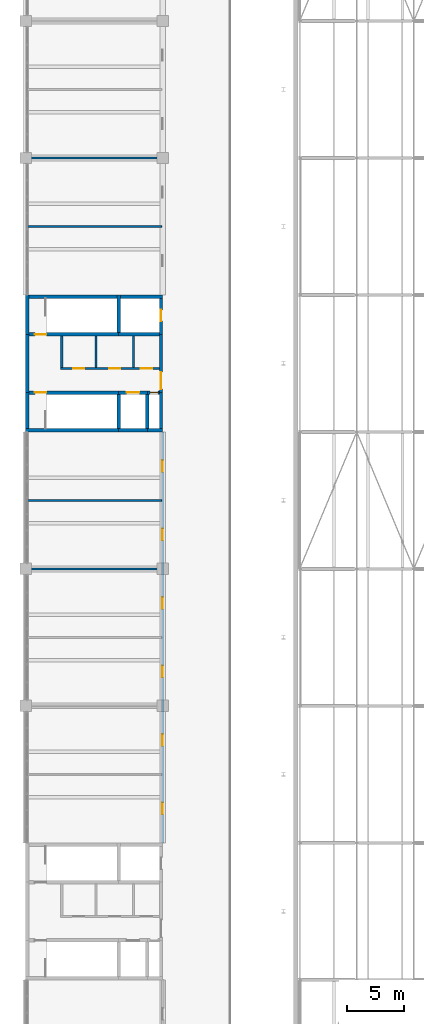
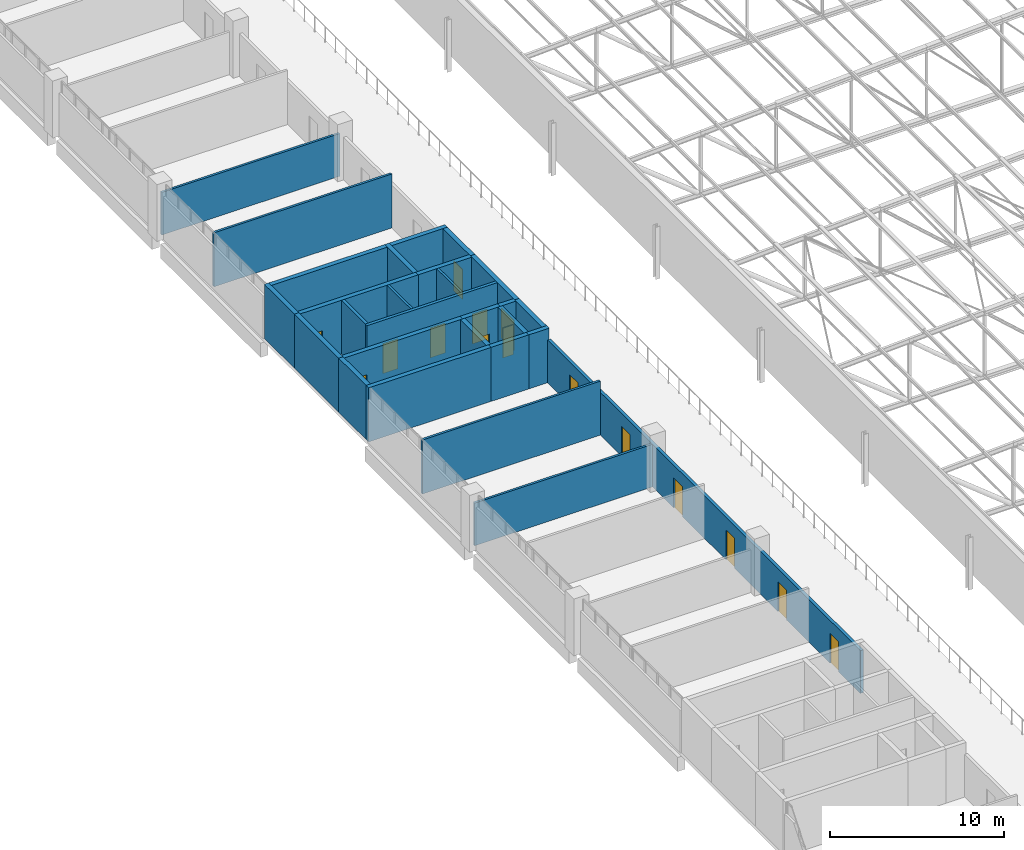
# One storey, part 143 of 156: 28 walls, 15 doors, 15 openings.
"""IFC4 building model written with IfcOpenShell, lengths in metres."""

from ifc_helpers import new_model, si_unit, direction, frame, frame_2d, origin, place, context, subcontext, project, spatial, rectangle, extrude, material, layer, layer_set, type_object, element, fill, save


model = new_model("IFC4")

# Units and contexts
model_context = context("Model", 3, precision=1e-05, world=origin(), true_north=direction((0.0, 1.0)))
body_context = subcontext(model_context, "Body", "Model", "MODEL_VIEW")
ifc_project = project(units=[si_unit("LENGTHUNIT", "METRE"), si_unit("AREAUNIT", "SQUARE_METRE"), si_unit("VOLUMEUNIT", "CUBIC_METRE"), si_unit("PLANEANGLEUNIT", "RADIAN"), si_unit("MASSUNIT", "GRAM", prefix="KILO")], contexts=[model_context])

# Site, building, storey
site_placement = place(None, origin())
site = spatial("IfcSite", under=ifc_project, at=site_placement, CompositionType="ELEMENT")
building_placement = place(site_placement, origin())
building = spatial("IfcBuilding", under=site, at=building_placement, Name="Lilac Gate Convention Centre", CompositionType="ELEMENT")
storey_placement = place(building_placement, frame((0.0, 0.0, 17.0)))
storey = spatial("IfcBuildingStorey", under=building, at=storey_placement, Name="L03", CompositionType="ELEMENT", Elevation=17.0)

# Walls
ifc_material_1 = material(Name="Fire-rated gypsum board on steel stud", Category="steel")
ifc_layer_1 = layer(ifc_material_1, 0.14990234375)
ifc_layer_set_1 = layer_set([ifc_layer_1], Name="Fire-rated gypsum board on steel stud")
wall_type_1 = type_object("IfcWallType", Name="Partition 150 fire-rated gypsum board EI 60", PredefinedType="PARTITIONING", material=ifc_layer_set_1)
wall_1_placement = place(storey_placement, frame((6.074951171875, 78.0, 0.0), z_axis=(0.0, 0.0, 1.0), x_axis=(1.0, 0.0, 0.0)))
element("IfcWall", 1, at=wall_1_placement, inside=storey, type_object=wall_type_1, Name="Partition 150 fire-rated gypsum board EI 60", PredefinedType="PARTITIONING", context=body_context, shape_type="SweptSolid", body=[
    extrude(rectangle(XDim=11.824951171875, YDim=0.14990234375, at=frame_2d((5.91259765625, 0.0))), origin(), (0.0, 0.0, 1.0), 3.0),
])
for number, where, z_axis, x_axis, name in (
    (2, (6.074951171875, 84.0, 0.0), (0.0, 0.0, 1.0), (1.0, 0.0, 0.0), "Partition 150 fire-rated gypsum board EI 60"),
    (3, (6.074951171875, 108.0, 0.0), (0.0, 0.0, 1.0), (1.0, 0.0, 0.0), "Partition 150 fire-rated gypsum board EI 60"),
):
    element("IfcWall", number, at=place(storey_placement, frame(where, z_axis=z_axis, x_axis=x_axis)), inside=storey, type_object=wall_type_1, Name=name, PredefinedType="PARTITIONING", context=body_context, shape_type="SweptSolid", body=[
        extrude(rectangle(XDim=11.824951171875, YDim=0.14990234375, at=frame_2d((5.91259765625, 0.0))), origin(), (0.0, 0.0, 1.0), 3.800048828125),
    ])
wall_2_placement = place(storey_placement, frame((6.074951171875, 114.0, 0.0), z_axis=(0.0, 0.0, 1.0), x_axis=(1.0, 0.0, 0.0)))
element("IfcWall", 4, at=wall_2_placement, inside=storey, type_object=wall_type_1, Name="Partition 150 fire-rated gypsum board EI 60", PredefinedType="PARTITIONING", context=body_context, shape_type="SweptSolid", body=[
    extrude(rectangle(XDim=11.824951171875, YDim=0.14990234375, at=frame_2d((5.91259765625, 0.0))), origin(), (0.0, 0.0, 1.0), 3.0),
])
for number, where, z_axis, x_axis, name in (
    (5, (12.14990234375, 95.64990234375, 0.0), (0.0, 0.0, 1.0), (0.0, 1.0, 0.0), "Partition 150 fire-rated gypsum board EI 60"),
    (6, (15.449951171875, 95.64990234375, 0.0), (0.0, 0.0, 1.0), (0.0, 1.0, 0.0), "Partition 150 fire-rated gypsum board EI 60"),
):
    element("IfcWall", number, at=place(storey_placement, frame(where, z_axis=z_axis, x_axis=x_axis)), inside=storey, type_object=wall_type_1, Name=name, PredefinedType="PARTITIONING", context=body_context, shape_type="SweptSolid", body=[
        extrude(rectangle(XDim=2.75, YDim=0.14990234375, at=frame_2d((1.375, 0.0))), origin(), (0.0, 0.0, 1.0), 3.800048828125),
    ])

# Wall, openings, doors
ifc_material_2 = material(Name="Clay brick masonry", Category="masonry")
ifc_layer_2 = layer(ifc_material_2, 0.199951171875)
ifc_layer_set_2 = layer_set([ifc_layer_2], Name="Clay brick masonry")
wall_type_2 = type_object("IfcWallType", Name="Partition 200 brick EI 60", PredefinedType="PARTITIONING", material=ifc_layer_set_2)
wall_3_placement = place(storey_placement, frame((9.050048828125, 95.550048828125, 0.0), z_axis=(0.0, 0.0, 1.0), x_axis=(1.0, 0.0, 0.0)))
wall_3 = element("IfcWall", 7, at=wall_3_placement, inside=storey, type_object=wall_type_2, Name="Partition 200 brick EI 60", PredefinedType="PARTITIONING", context=body_context, shape_type="SweptSolid", body=[
    extrude(rectangle(XDim=8.64990234375, YDim=0.199951171875, at=frame_2d((4.324951171875, 0.0))), origin(), (0.0, 0.0, 1.0), 3.800048828125),
])
opening_1_placement = place(wall_3_placement, frame((1.10009765625, 0.0, 0.0)))
opening_1 = element("IfcOpeningElement", 8, at=opening_1_placement, cuts=wall_3, Name="Opening L03-020", PredefinedType="OPENING", context=body_context, shape_type="SweptSolid", body=[
    extrude(rectangle(XDim=1.0, YDim=2.10009765625, at=frame_2d((0.5, 1.050048828125))), frame((0.0, 0.10986328125, 0.0), z_axis=(0.0, -1.0, 0.0), x_axis=(1.0, 0.0, 0.0)), (0.0, 0.0, 1.0), 0.219970703125),
])
opening_2_placement = place(wall_3_placement, frame((4.25, 0.0, 0.0)))
opening_2 = element("IfcOpeningElement", 9, at=opening_2_placement, cuts=wall_3, Name="Opening L03-021", PredefinedType="OPENING", context=body_context, shape_type="SweptSolid", body=[
    extrude(rectangle(XDim=1.0, YDim=2.10009765625, at=frame_2d((0.5, 1.050048828125))), frame((0.0, 0.10986328125, 0.0), z_axis=(0.0, -1.0, 0.0), x_axis=(1.0, 0.0, 0.0)), (0.0, 0.0, 1.0), 0.219970703125),
])
opening_3_placement = place(wall_3_placement, frame((7.050048828125, 0.0, 0.0)))
opening_3 = element("IfcOpeningElement", 10, at=opening_3_placement, cuts=wall_3, Name="Opening L03-022", PredefinedType="OPENING", context=body_context, shape_type="SweptSolid", body=[
    extrude(rectangle(XDim=1.0, YDim=2.10009765625, at=frame_2d((0.5, 1.050048828125))), frame((0.0, 0.10986328125, 0.0), z_axis=(0.0, -1.0, 0.0), x_axis=(1.0, 0.0, 0.0)), (0.0, 0.0, 1.0), 0.219970703125),
])
ifc_material_3 = material(Name="Timber fire door leaf", Category="wood")
door_type_1 = type_object("IfcDoorType", Name="Door 1000 x 2100 single leaf FD30", OperationType="SINGLE_SWING_LEFT", PredefinedType="DOOR", material=ifc_material_3)
door_1_placement = place(opening_1_placement, origin())
door_1 = element("IfcDoor", 11, at=door_1_placement, inside=storey, type_object=door_type_1, Name="WC door L03-020", OperationType="SINGLE_SWING_RIGHT", OverallHeight=2.10009765625, OverallWidth=1.0, PredefinedType="DOOR", context=body_context, shape_type="SweptSolid", body=[
    extrude(rectangle(XDim=1.0, YDim=2.10009765625, at=frame_2d((0.5, 1.050048828125))), frame((0.0, 0.02490234375, 0.0), z_axis=(0.0, -1.0, 0.0), x_axis=(1.0, 0.0, 0.0)), (0.0, 0.0, 1.0), 0.050048828125),
])
fill(opening_1, door_1)
door_2_placement = place(opening_2_placement, origin())
door_2 = element("IfcDoor", 12, at=door_2_placement, inside=storey, type_object=door_type_1, Name="WC door L03-021", OperationType="SINGLE_SWING_LEFT", OverallHeight=2.10009765625, OverallWidth=1.0, PredefinedType="DOOR", context=body_context, shape_type="SweptSolid", body=[
    extrude(rectangle(XDim=1.0, YDim=2.10009765625, at=frame_2d((0.5, 1.050048828125))), frame((0.0, 0.02490234375, 0.0), z_axis=(0.0, -1.0, 0.0), x_axis=(1.0, 0.0, 0.0)), (0.0, 0.0, 1.0), 0.050048828125),
])
fill(opening_2, door_2)
door_3_placement = place(opening_3_placement, origin())
door_3 = element("IfcDoor", 13, at=door_3_placement, inside=storey, type_object=door_type_1, Name="Accessible WC door L03-022", OperationType="SINGLE_SWING_LEFT", OverallHeight=2.10009765625, OverallWidth=1.0, PredefinedType="DOOR", context=body_context, shape_type="SweptSolid", body=[
    extrude(rectangle(XDim=1.0, YDim=2.10009765625, at=frame_2d((0.5, 1.050048828125))), frame((0.0, 0.02490234375, 0.0), z_axis=(0.0, -1.0, 0.0), x_axis=(1.0, 0.0, 0.0)), (0.0, 0.0, 1.0), 0.050048828125),
])
fill(opening_3, door_3)

# Wall
wall_4_placement = place(storey_placement, frame((9.14990234375, 95.64990234375, 0.0), z_axis=(0.0, 0.0, 1.0), x_axis=(0.0, 1.0, 0.0)))
element("IfcWall", 14, at=wall_4_placement, inside=storey, type_object=wall_type_2, Name="Partition 200 brick EI 60", PredefinedType="PARTITIONING", context=body_context, shape_type="SweptSolid", body=[
    extrude(rectangle(XDim=2.75, YDim=0.199951171875, at=frame_2d((1.375, 0.0))), origin(), (0.0, 0.0, 1.0), 3.800048828125),
])

# Wall, openings, doors
wall_5_placement = place(storey_placement, frame((18.0, 54.0, 0.0), z_axis=(0.0, 0.0, 1.0), x_axis=(0.0, 1.0, 0.0)))
wall_5 = element("IfcWall", 15, at=wall_5_placement, inside=storey, type_object=wall_type_2, Name="Partition 200 brick EI 60", PredefinedType="PARTITIONING", context=body_context, shape_type="SweptSolid", body=[
    extrude(rectangle(XDim=36.0, YDim=0.199951171875, at=frame_2d((18.0, 0.0))), origin(), (0.0, 0.0, 1.0), 3.0),
])
opening_4_placement = place(wall_5_placement, frame((2.5, 0.0, 0.0)))
opening_4 = element("IfcOpeningElement", 16, at=opening_4_placement, cuts=wall_5, Name="Opening L03-011", PredefinedType="OPENING", context=body_context, shape_type="SweptSolid", body=[
    extrude(rectangle(XDim=1.0, YDim=2.10009765625, at=frame_2d((0.5, 1.050048828125))), frame((0.0, 0.10986328125, 0.0), z_axis=(0.0, -1.0, 0.0), x_axis=(1.0, 0.0, 0.0)), (0.0, 0.0, 1.0), 0.219970703125),
])
opening_5_placement = place(wall_5_placement, frame((8.5, 0.0, 0.0)))
opening_5 = element("IfcOpeningElement", 17, at=opening_5_placement, cuts=wall_5, Name="Opening L03-012", PredefinedType="OPENING", context=body_context, shape_type="SweptSolid", body=[
    extrude(rectangle(XDim=1.0, YDim=2.10009765625, at=frame_2d((0.5, 1.050048828125))), frame((0.0, 0.10986328125, 0.0), z_axis=(0.0, -1.0, 0.0), x_axis=(1.0, 0.0, 0.0)), (0.0, 0.0, 1.0), 0.219970703125),
])
opening_6_placement = place(wall_5_placement, frame((14.5, 0.0, 0.0)))
opening_6 = element("IfcOpeningElement", 18, at=opening_6_placement, cuts=wall_5, Name="Opening L03-013", PredefinedType="OPENING", context=body_context, shape_type="SweptSolid", body=[
    extrude(rectangle(XDim=1.0, YDim=2.10009765625, at=frame_2d((0.5, 1.050048828125))), frame((0.0, 0.10986328125, 0.0), z_axis=(0.0, -1.0, 0.0), x_axis=(1.0, 0.0, 0.0)), (0.0, 0.0, 1.0), 0.219970703125),
])
opening_7_placement = place(wall_5_placement, frame((20.5, 0.0, 0.0)))
opening_7 = element("IfcOpeningElement", 19, at=opening_7_placement, cuts=wall_5, Name="Opening L03-014", PredefinedType="OPENING", context=body_context, shape_type="SweptSolid", body=[
    extrude(rectangle(XDim=1.0, YDim=2.10009765625, at=frame_2d((0.5, 1.050048828125))), frame((0.0, 0.10986328125, 0.0), z_axis=(0.0, -1.0, 0.0), x_axis=(1.0, 0.0, 0.0)), (0.0, 0.0, 1.0), 0.219970703125),
])
opening_8_placement = place(wall_5_placement, frame((26.5, 0.0, 0.0)))
opening_8 = element("IfcOpeningElement", 20, at=opening_8_placement, cuts=wall_5, Name="Opening L03-015", PredefinedType="OPENING", context=body_context, shape_type="SweptSolid", body=[
    extrude(rectangle(XDim=1.0, YDim=2.10009765625, at=frame_2d((0.5, 1.050048828125))), frame((0.0, 0.10986328125, 0.0), z_axis=(0.0, -1.0, 0.0), x_axis=(1.0, 0.0, 0.0)), (0.0, 0.0, 1.0), 0.219970703125),
])
opening_9_placement = place(wall_5_placement, frame((32.5, 0.0, 0.0)))
opening_9 = element("IfcOpeningElement", 21, at=opening_9_placement, cuts=wall_5, Name="Opening L03-016", PredefinedType="OPENING", context=body_context, shape_type="SweptSolid", body=[
    extrude(rectangle(XDim=1.0, YDim=2.10009765625, at=frame_2d((0.5, 1.050048828125))), frame((0.0, 0.10986328125, 0.0), z_axis=(0.0, -1.0, 0.0), x_axis=(1.0, 0.0, 0.0)), (0.0, 0.0, 1.0), 0.219970703125),
])
door_4_placement = place(opening_4_placement, origin())
door_4 = element("IfcDoor", 22, at=door_4_placement, inside=storey, type_object=door_type_1, Name="Meeting room door L03-011", OperationType="SINGLE_SWING_RIGHT", OverallHeight=2.10009765625, OverallWidth=1.0, PredefinedType="DOOR", context=body_context, shape_type="SweptSolid", body=[
    extrude(rectangle(XDim=1.0, YDim=2.10009765625, at=frame_2d((0.5, 1.050048828125))), frame((0.0, 0.02490234375, 0.0), z_axis=(0.0, -1.0, 0.0), x_axis=(1.0, 0.0, 0.0)), (0.0, 0.0, 1.0), 0.050048828125),
])
fill(opening_4, door_4)
door_5_placement = place(opening_5_placement, origin())
door_5 = element("IfcDoor", 23, at=door_5_placement, inside=storey, type_object=door_type_1, Name="Meeting room door L03-012", OperationType="SINGLE_SWING_RIGHT", OverallHeight=2.10009765625, OverallWidth=1.0, PredefinedType="DOOR", context=body_context, shape_type="SweptSolid", body=[
    extrude(rectangle(XDim=1.0, YDim=2.10009765625, at=frame_2d((0.5, 1.050048828125))), frame((0.0, 0.02490234375, 0.0), z_axis=(0.0, -1.0, 0.0), x_axis=(1.0, 0.0, 0.0)), (0.0, 0.0, 1.0), 0.050048828125),
])
fill(opening_5, door_5)
door_6_placement = place(opening_6_placement, origin())
door_6 = element("IfcDoor", 24, at=door_6_placement, inside=storey, type_object=door_type_1, Name="Meeting room door L03-013", OperationType="SINGLE_SWING_RIGHT", OverallHeight=2.10009765625, OverallWidth=1.0, PredefinedType="DOOR", context=body_context, shape_type="SweptSolid", body=[
    extrude(rectangle(XDim=1.0, YDim=2.10009765625, at=frame_2d((0.5, 1.050048828125))), frame((0.0, 0.02490234375, 0.0), z_axis=(0.0, -1.0, 0.0), x_axis=(1.0, 0.0, 0.0)), (0.0, 0.0, 1.0), 0.050048828125),
])
fill(opening_6, door_6)
door_7_placement = place(opening_7_placement, origin())
door_7 = element("IfcDoor", 25, at=door_7_placement, inside=storey, type_object=door_type_1, Name="Meeting room door L03-014", OperationType="SINGLE_SWING_RIGHT", OverallHeight=2.10009765625, OverallWidth=1.0, PredefinedType="DOOR", context=body_context, shape_type="SweptSolid", body=[
    extrude(rectangle(XDim=1.0, YDim=2.10009765625, at=frame_2d((0.5, 1.050048828125))), frame((0.0, 0.02490234375, 0.0), z_axis=(0.0, -1.0, 0.0), x_axis=(1.0, 0.0, 0.0)), (0.0, 0.0, 1.0), 0.050048828125),
])
fill(opening_7, door_7)
door_8_placement = place(opening_8_placement, origin())
door_8 = element("IfcDoor", 26, at=door_8_placement, inside=storey, type_object=door_type_1, Name="Meeting room door L03-015", OperationType="SINGLE_SWING_RIGHT", OverallHeight=2.10009765625, OverallWidth=1.0, PredefinedType="DOOR", context=body_context, shape_type="SweptSolid", body=[
    extrude(rectangle(XDim=1.0, YDim=2.10009765625, at=frame_2d((0.5, 1.050048828125))), frame((0.0, 0.02490234375, 0.0), z_axis=(0.0, -1.0, 0.0), x_axis=(1.0, 0.0, 0.0)), (0.0, 0.0, 1.0), 0.050048828125),
])
fill(opening_8, door_8)
door_9_placement = place(opening_9_placement, origin())
door_9 = element("IfcDoor", 27, at=door_9_placement, inside=storey, type_object=door_type_1, Name="Meeting room door L03-016", OperationType="SINGLE_SWING_RIGHT", OverallHeight=2.10009765625, OverallWidth=1.0, PredefinedType="DOOR", context=body_context, shape_type="SweptSolid", body=[
    extrude(rectangle(XDim=1.0, YDim=2.10009765625, at=frame_2d((0.5, 1.050048828125))), frame((0.0, 0.02490234375, 0.0), z_axis=(0.0, -1.0, 0.0), x_axis=(1.0, 0.0, 0.0)), (0.0, 0.0, 1.0), 0.050048828125),
])
fill(opening_9, door_9)

# Walls
ifc_material_4 = material(Name="Concrete C40", Category="concrete")
ifc_layer_3 = layer(ifc_material_4, 0.300048828125)
ifc_layer_set_3 = layer_set([ifc_layer_3], Name="Concrete C40")
wall_type_3 = type_object("IfcWallType", Name="Shear wall 300 C40", PredefinedType="SHEAR", material=ifc_layer_set_3)
wall_6_placement = place(storey_placement, frame((6.0, 90.14990234375, 0.0), z_axis=(0.0, 0.0, 1.0), x_axis=(1.0, 0.0, 0.0)))
element("IfcWall", 28, at=wall_6_placement, inside=storey, type_object=wall_type_3, Name="SW1 shear wall W2 L03 1", PredefinedType="SHEAR", context=body_context, shape_type="SweptSolid", body=[
    extrude(rectangle(XDim=8.14990234375, YDim=0.300048828125, at=frame_2d((4.074951171875, 0.0))), origin(), (0.0, 0.0, 1.0), 3.800048828125),
])
wall_7_placement = place(storey_placement, frame((14.14990234375, 90.14990234375, 0.0), z_axis=(0.0, 0.0, 1.0), x_axis=(1.0, 0.0, 0.0)))
element("IfcWall", 29, at=wall_7_placement, inside=storey, type_object=wall_type_3, Name="SW1 shear wall W2 L03 2", PredefinedType="SHEAR", context=body_context, shape_type="SweptSolid", body=[
    extrude(rectangle(XDim=2.5, YDim=0.300048828125, at=frame_2d((1.25, 0.0))), origin(), (0.0, 0.0, 1.0), 3.800048828125),
])
wall_8_placement = place(storey_placement, frame((16.64990234375, 90.14990234375, 0.0), z_axis=(0.0, 0.0, 1.0), x_axis=(1.0, 0.0, 0.0)))
element("IfcWall", 30, at=wall_8_placement, inside=storey, type_object=wall_type_3, Name="SW1 shear wall W2 L03 3", PredefinedType="SHEAR", context=body_context, shape_type="SweptSolid", body=[
    extrude(rectangle(XDim=1.35009765625, YDim=0.300048828125, at=frame_2d((0.675048828125, 0.0))), origin(), (0.0, 0.0, 1.0), 3.800048828125),
])
wall_9_placement = place(storey_placement, frame((6.0, 101.85009765625, 0.0), z_axis=(0.0, 0.0, 1.0), x_axis=(1.0, 0.0, 0.0)))
element("IfcWall", 31, at=wall_9_placement, inside=storey, type_object=wall_type_3, Name="SW1 shear wall W2 L03 4", PredefinedType="SHEAR", context=body_context, shape_type="SweptSolid", body=[
    extrude(rectangle(XDim=8.14990234375, YDim=0.300048828125, at=frame_2d((4.074951171875, 0.0))), origin(), (0.0, 0.0, 1.0), 3.800048828125),
])
wall_10_placement = place(storey_placement, frame((14.14990234375, 101.85009765625, 0.0), z_axis=(0.0, 0.0, 1.0), x_axis=(1.0, 0.0, 0.0)))
element("IfcWall", 32, at=wall_10_placement, inside=storey, type_object=wall_type_3, Name="SW1 shear wall W2 L03 5", PredefinedType="SHEAR", context=body_context, shape_type="SweptSolid", body=[
    extrude(rectangle(XDim=3.85009765625, YDim=0.300048828125, at=frame_2d((1.925048828125, 0.0))), origin(), (0.0, 0.0, 1.0), 3.800048828125),
])

# Wall, opening, door
wall_11_placement = place(storey_placement, frame((6.300048828125, 93.449951171875, 0.0), z_axis=(0.0, 0.0, 1.0), x_axis=(1.0, 0.0, 0.0)))
wall_11 = element("IfcWall", 33, at=wall_11_placement, inside=storey, type_object=wall_type_3, Name="SW1 shear wall W2 L03 6", PredefinedType="SHEAR", context=body_context, shape_type="SweptSolid", body=[
    extrude(rectangle(XDim=7.849853515625, YDim=0.300048828125, at=frame_2d((3.9248046875, 0.0))), origin(), (0.0, 0.0, 1.0), 3.800048828125),
])
opening_10_placement = place(wall_11_placement, frame((0.5, 0.0, 0.0)))
opening_10 = element("IfcOpeningElement", 34, at=opening_10_placement, cuts=wall_11, Name="Opening L03-017", PredefinedType="OPENING", context=body_context, shape_type="SweptSolid", body=[
    extrude(rectangle(XDim=1.0, YDim=2.10009765625, at=frame_2d((0.5, 1.050048828125))), frame((0.0, 0.159912109375, 0.0), z_axis=(0.0, -1.0, 0.0), x_axis=(1.0, 0.0, 0.0)), (0.0, 0.0, 1.0), 0.320068359375),
])
door_type_2 = type_object("IfcDoorType", Name="Door 1000 x 2100 single leaf FD60", OperationType="SINGLE_SWING_LEFT", PredefinedType="DOOR", material=ifc_material_3)
door_10_placement = place(opening_10_placement, frame((1.0, 0.0, 0.0), z_axis=(0.0, 0.0, 1.0), x_axis=(-1.0, 0.0, 0.0)))
door_10 = element("IfcDoor", 35, at=door_10_placement, inside=storey, type_object=door_type_2, Name="Stair door L03-017", OperationType="SINGLE_SWING_LEFT", OverallHeight=2.10009765625, OverallWidth=1.0, PredefinedType="DOOR", context=body_context, shape_type="SweptSolid", body=[
    extrude(rectangle(XDim=1.0, YDim=2.10009765625, at=frame_2d((0.5, 1.050048828125))), frame((0.0, 0.02490234375, 0.0), z_axis=(0.0, -1.0, 0.0), x_axis=(1.0, 0.0, 0.0)), (0.0, 0.0, 1.0), 0.050048828125),
])
fill(opening_10, door_10)

wall_12_placement = place(storey_placement, frame((14.14990234375, 93.449951171875, 0.0), z_axis=(0.0, 0.0, 1.0), x_axis=(1.0, 0.0, 0.0)))
wall_12 = element("IfcWall", 36, at=wall_12_placement, inside=storey, type_object=wall_type_3, Name="SW1 shear wall W2 L03 7", PredefinedType="SHEAR", context=body_context, shape_type="SweptSolid", body=[
    extrude(rectangle(XDim=2.5, YDim=0.300048828125, at=frame_2d((1.25, 0.0))), origin(), (0.0, 0.0, 1.0), 3.800048828125),
])
opening_11_placement = place(wall_12_placement, frame((0.699951171875, 0.0, 0.0)))
opening_11 = element("IfcOpeningElement", 37, at=opening_11_placement, cuts=wall_12, Name="Opening LDW2-03", PredefinedType="OPENING", context=body_context, shape_type="SweptSolid", body=[
    extrude(rectangle(XDim=1.10009765625, YDim=2.10009765625, at=frame_2d((0.550048828125, 1.050048828125))), frame((0.0, 0.159912109375, 0.0), z_axis=(0.0, -1.0, 0.0), x_axis=(1.0, 0.0, 0.0)), (0.0, 0.0, 1.0), 0.320068359375),
])
ifc_material_5 = material(Name="Stainless steel 304", Category="steel")
door_type_3 = type_object("IfcDoorType", Name="Lift landing door 1100 x 2100", OperationType="SLIDING_TO_LEFT", PredefinedType="DOOR", material=ifc_material_5)
door_11_placement = place(opening_11_placement, origin())
door_11 = element("IfcDoor", 38, at=door_11_placement, inside=storey, type_object=door_type_3, Name="Lift landing door LDW2-03", OperationType="SLIDING_TO_LEFT", OverallHeight=2.10009765625, OverallWidth=1.10009765625, PredefinedType="DOOR", context=body_context, shape_type="SweptSolid", body=[
    extrude(rectangle(XDim=1.10009765625, YDim=2.10009765625, at=frame_2d((0.550048828125, 1.050048828125))), frame((0.0, 0.02490234375, 0.0), z_axis=(0.0, -1.0, 0.0), x_axis=(1.0, 0.0, 0.0)), (0.0, 0.0, 1.0), 0.050048828125),
])
fill(opening_11, door_11)

wall_13_placement = place(storey_placement, frame((16.64990234375, 93.449951171875, 0.0), z_axis=(0.0, 0.0, 1.0), x_axis=(1.0, 0.0, 0.0)))
wall_13 = element("IfcWall", 39, at=wall_13_placement, inside=storey, type_object=wall_type_3, Name="SW1 shear wall W2 L03 8", PredefinedType="SHEAR", context=body_context, shape_type="SweptSolid", body=[
    extrude(rectangle(XDim=1.050048828125, YDim=0.300048828125, at=frame_2d((0.52490234375, 0.0))), origin(), (0.0, 0.0, 1.0), 3.800048828125),
])
opening_12_placement = place(wall_13_placement, frame((0.25, 0.0, 0.0)))
opening_12 = element("IfcOpeningElement", 40, at=opening_12_placement, cuts=wall_13, Name="Opening L03-018", PredefinedType="OPENING", context=body_context, shape_type="SweptSolid", body=[
    extrude(rectangle(XDim=0.699951171875, YDim=2.10009765625, at=frame_2d((0.35009765625, 1.050048828125))), frame((0.0, 0.159912109375, 0.0), z_axis=(0.0, -1.0, 0.0), x_axis=(1.0, 0.0, 0.0)), (0.0, 0.0, 1.0), 0.320068359375),
])
door_type_4 = type_object("IfcDoorType", Name="Door 700 x 2100 single leaf FD30", OperationType="SINGLE_SWING_LEFT", PredefinedType="DOOR", material=ifc_material_3)
door_12_placement = place(opening_12_placement, frame((0.699951171875, 0.0, 0.0), z_axis=(0.0, 0.0, 1.0), x_axis=(-1.0, 0.0, 0.0)))
door_12 = element("IfcDoor", 41, at=door_12_placement, inside=storey, type_object=door_type_4, Name="Riser access door L03-018", OperationType="SINGLE_SWING_LEFT", OverallHeight=2.10009765625, OverallWidth=0.699951171875, PredefinedType="DOOR", context=body_context, shape_type="SweptSolid", body=[
    extrude(rectangle(XDim=0.699951171875, YDim=2.10009765625, at=frame_2d((0.35009765625, 1.050048828125))), frame((0.0, 0.02490234375, 0.0), z_axis=(0.0, -1.0, 0.0), x_axis=(1.0, 0.0, 0.0)), (0.0, 0.0, 1.0), 0.050048828125),
])
fill(opening_12, door_12)

wall_14_placement = place(storey_placement, frame((6.300048828125, 98.550048828125, 0.0), z_axis=(0.0, 0.0, 1.0), x_axis=(1.0, 0.0, 0.0)))
wall_14 = element("IfcWall", 42, at=wall_14_placement, inside=storey, type_object=wall_type_3, Name="SW1 shear wall W2 L03 9", PredefinedType="SHEAR", context=body_context, shape_type="SweptSolid", body=[
    extrude(rectangle(XDim=7.849853515625, YDim=0.300048828125, at=frame_2d((3.9248046875, 0.0))), origin(), (0.0, 0.0, 1.0), 3.800048828125),
])
opening_13_placement = place(wall_14_placement, frame((0.5, 0.0, 0.0)))
opening_13 = element("IfcOpeningElement", 43, at=opening_13_placement, cuts=wall_14, Name="Opening L03-023", PredefinedType="OPENING", context=body_context, shape_type="SweptSolid", body=[
    extrude(rectangle(XDim=1.0, YDim=2.10009765625, at=frame_2d((0.5, 1.050048828125))), frame((0.0, 0.159912109375, 0.0), z_axis=(0.0, -1.0, 0.0), x_axis=(1.0, 0.0, 0.0)), (0.0, 0.0, 1.0), 0.320068359375),
])
door_13_placement = place(opening_13_placement, origin())
door_13 = element("IfcDoor", 44, at=door_13_placement, inside=storey, type_object=door_type_2, Name="Stair door L03-023", OperationType="SINGLE_SWING_RIGHT", OverallHeight=2.10009765625, OverallWidth=1.0, PredefinedType="DOOR", context=body_context, shape_type="SweptSolid", body=[
    extrude(rectangle(XDim=1.0, YDim=2.10009765625, at=frame_2d((0.5, 1.050048828125))), frame((0.0, 0.02490234375, 0.0), z_axis=(0.0, -1.0, 0.0), x_axis=(1.0, 0.0, 0.0)), (0.0, 0.0, 1.0), 0.050048828125),
])
fill(opening_13, door_13)

# Walls
wall_15_placement = place(storey_placement, frame((14.14990234375, 98.550048828125, 0.0), z_axis=(0.0, 0.0, 1.0), x_axis=(1.0, 0.0, 0.0)))
element("IfcWall", 45, at=wall_15_placement, inside=storey, type_object=wall_type_3, Name="SW1 shear wall W2 L03 10", PredefinedType="SHEAR", context=body_context, shape_type="SweptSolid", body=[
    extrude(rectangle(XDim=3.550048828125, YDim=0.300048828125, at=frame_2d((1.77490234375, 0.0))), origin(), (0.0, 0.0, 1.0), 3.800048828125),
])
wall_16_placement = place(storey_placement, frame((6.14990234375, 90.300048828125, 0.0), z_axis=(0.0, 0.0, 1.0), x_axis=(0.0, 1.0, 0.0)))
element("IfcWall", 46, at=wall_16_placement, inside=storey, type_object=wall_type_3, Name="SW1 shear wall W2 L03 11", PredefinedType="SHEAR", context=body_context, shape_type="SweptSolid", body=[
    extrude(rectangle(XDim=3.14990234375, YDim=0.300048828125, at=frame_2d((1.574951171875, 0.0))), origin(), (0.0, 0.0, 1.0), 3.800048828125),
])
wall_17_placement = place(storey_placement, frame((6.14990234375, 93.449951171875, 0.0), z_axis=(0.0, 0.0, 1.0), x_axis=(0.0, 1.0, 0.0)))
element("IfcWall", 47, at=wall_17_placement, inside=storey, type_object=wall_type_3, Name="SW1 shear wall W2 L03 12", PredefinedType="SHEAR", context=body_context, shape_type="SweptSolid", body=[
    extrude(rectangle(XDim=5.10009765625, YDim=0.300048828125, at=frame_2d((2.550048828125, 0.0))), origin(), (0.0, 0.0, 1.0), 3.800048828125),
])
wall_18_placement = place(storey_placement, frame((6.14990234375, 98.550048828125, 0.0), z_axis=(0.0, 0.0, 1.0), x_axis=(0.0, 1.0, 0.0)))
element("IfcWall", 48, at=wall_18_placement, inside=storey, type_object=wall_type_3, Name="SW1 shear wall W2 L03 13", PredefinedType="SHEAR", context=body_context, shape_type="SweptSolid", body=[
    extrude(rectangle(XDim=3.449951171875, YDim=0.300048828125, at=frame_2d((1.72509765625, 0.0))), origin(), (0.0, 0.0, 1.0), 3.800048828125),
])
wall_19_placement = place(storey_placement, frame((17.85009765625, 90.300048828125, 0.0), z_axis=(0.0, 0.0, 1.0), x_axis=(0.0, 1.0, 0.0)))
element("IfcWall", 49, at=wall_19_placement, inside=storey, type_object=wall_type_3, Name="SW1 shear wall W2 L03 14", PredefinedType="SHEAR", context=body_context, shape_type="SweptSolid", body=[
    extrude(rectangle(XDim=3.14990234375, YDim=0.300048828125, at=frame_2d((1.574951171875, 0.0))), origin(), (0.0, 0.0, 1.0), 3.800048828125),
])

# Wall, opening, door
wall_20_placement = place(storey_placement, frame((17.85009765625, 93.449951171875, 0.0), z_axis=(0.0, 0.0, 1.0), x_axis=(0.0, 1.0, 0.0)))
wall_20 = element("IfcWall", 50, at=wall_20_placement, inside=storey, type_object=wall_type_3, Name="SW1 shear wall W2 L03 15", PredefinedType="SHEAR", context=body_context, shape_type="SweptSolid", body=[
    extrude(rectangle(XDim=5.10009765625, YDim=0.300048828125, at=frame_2d((2.550048828125, 0.0))), origin(), (0.0, 0.0, 1.0), 3.800048828125),
])
opening_14_placement = place(wall_20_placement, frame((0.300048828125, 0.0, 0.0)))
opening_14 = element("IfcOpeningElement", 51, at=opening_14_placement, cuts=wall_20, Name="Opening L03-019", PredefinedType="OPENING", context=body_context, shape_type="SweptSolid", body=[
    extrude(rectangle(XDim=1.5, YDim=2.10009765625, at=frame_2d((0.75, 1.050048828125))), frame((0.0, 0.159912109375, 0.0), z_axis=(0.0, -1.0, 0.0), x_axis=(1.0, 0.0, 0.0)), (0.0, 0.0, 1.0), 0.320068359375),
])
door_type_5 = type_object("IfcDoorType", Name="Door 1500 x 2100 double leaf FD30", OperationType="DOUBLE_DOOR_SINGLE_SWING", PredefinedType="DOOR", material=ifc_material_3)
door_14_placement = place(opening_14_placement, origin())
door_14 = element("IfcDoor", 52, at=door_14_placement, inside=storey, type_object=door_type_5, Name="Lobby door L03-019", OperationType="DOUBLE_DOOR_SINGLE_SWING", OverallHeight=2.10009765625, OverallWidth=1.5, PredefinedType="DOOR", context=body_context, shape_type="SweptSolid", body=[
    extrude(rectangle(XDim=1.5, YDim=2.10009765625, at=frame_2d((0.75, 1.050048828125))), frame((0.0, 0.02490234375, 0.0), z_axis=(0.0, -1.0, 0.0), x_axis=(1.0, 0.0, 0.0)), (0.0, 0.0, 1.0), 0.050048828125),
])
fill(opening_14, door_14)

wall_21_placement = place(storey_placement, frame((17.85009765625, 98.550048828125, 0.0), z_axis=(0.0, 0.0, 1.0), x_axis=(0.0, 1.0, 0.0)))
wall_21 = element("IfcWall", 53, at=wall_21_placement, inside=storey, type_object=wall_type_3, Name="SW1 shear wall W2 L03 16", PredefinedType="SHEAR", context=body_context, shape_type="SweptSolid", body=[
    extrude(rectangle(XDim=3.14990234375, YDim=0.300048828125, at=frame_2d((1.574951171875, 0.0))), origin(), (0.0, 0.0, 1.0), 3.800048828125),
])
opening_15_placement = place(wall_21_placement, frame((1.14990234375, 0.0, 0.0)))
opening_15 = element("IfcOpeningElement", 54, at=opening_15_placement, cuts=wall_21, Name="Opening L03-024", PredefinedType="OPENING", context=body_context, shape_type="SweptSolid", body=[
    extrude(rectangle(XDim=1.0, YDim=2.10009765625, at=frame_2d((0.5, 1.050048828125))), frame((0.0, 0.159912109375, 0.0), z_axis=(0.0, -1.0, 0.0), x_axis=(1.0, 0.0, 0.0)), (0.0, 0.0, 1.0), 0.320068359375),
])
door_15_placement = place(opening_15_placement, origin())
door_15 = element("IfcDoor", 55, at=door_15_placement, inside=storey, type_object=door_type_1, Name="Riser access door L03-024", OperationType="SINGLE_SWING_RIGHT", OverallHeight=2.10009765625, OverallWidth=1.0, PredefinedType="DOOR", context=body_context, shape_type="SweptSolid", body=[
    extrude(rectangle(XDim=1.0, YDim=2.10009765625, at=frame_2d((0.5, 1.050048828125))), frame((0.0, 0.02490234375, 0.0), z_axis=(0.0, -1.0, 0.0), x_axis=(1.0, 0.0, 0.0)), (0.0, 0.0, 1.0), 0.050048828125),
])
fill(opening_15, door_15)

# Walls
wall_22_placement = place(storey_placement, frame((14.14990234375, 90.300048828125, 0.0), z_axis=(0.0, 0.0, 1.0), x_axis=(0.0, 1.0, 0.0)))
element("IfcWall", 56, at=wall_22_placement, inside=storey, type_object=wall_type_3, Name="SW1 shear wall W2 L03 17", PredefinedType="SHEAR", context=body_context, shape_type="SweptSolid", body=[
    extrude(rectangle(XDim=3.0, YDim=0.300048828125, at=frame_2d((1.5, 0.0))), origin(), (0.0, 0.0, 1.0), 3.800048828125),
])
wall_23_placement = place(storey_placement, frame((14.14990234375, 98.699951171875, 0.0), z_axis=(0.0, 0.0, 1.0), x_axis=(0.0, 1.0, 0.0)))
element("IfcWall", 57, at=wall_23_placement, inside=storey, type_object=wall_type_3, Name="SW1 shear wall W2 L03 18", PredefinedType="SHEAR", context=body_context, shape_type="SweptSolid", body=[
    extrude(rectangle(XDim=3.300048828125, YDim=0.300048828125, at=frame_2d((1.64990234375, 0.0))), origin(), (0.0, 0.0, 1.0), 3.800048828125),
])
wall_24_placement = place(storey_placement, frame((16.64990234375, 90.300048828125, 0.0), z_axis=(0.0, 0.0, 1.0), x_axis=(0.0, 1.0, 0.0)))
element("IfcWall", 58, at=wall_24_placement, inside=storey, type_object=wall_type_3, Name="SW1 shear wall W2 L03 19", PredefinedType="SHEAR", context=body_context, shape_type="SweptSolid", body=[
    extrude(rectangle(XDim=3.0, YDim=0.300048828125, at=frame_2d((1.5, 0.0))), origin(), (0.0, 0.0, 1.0), 3.800048828125),
])

save(model, "model.ifc")
